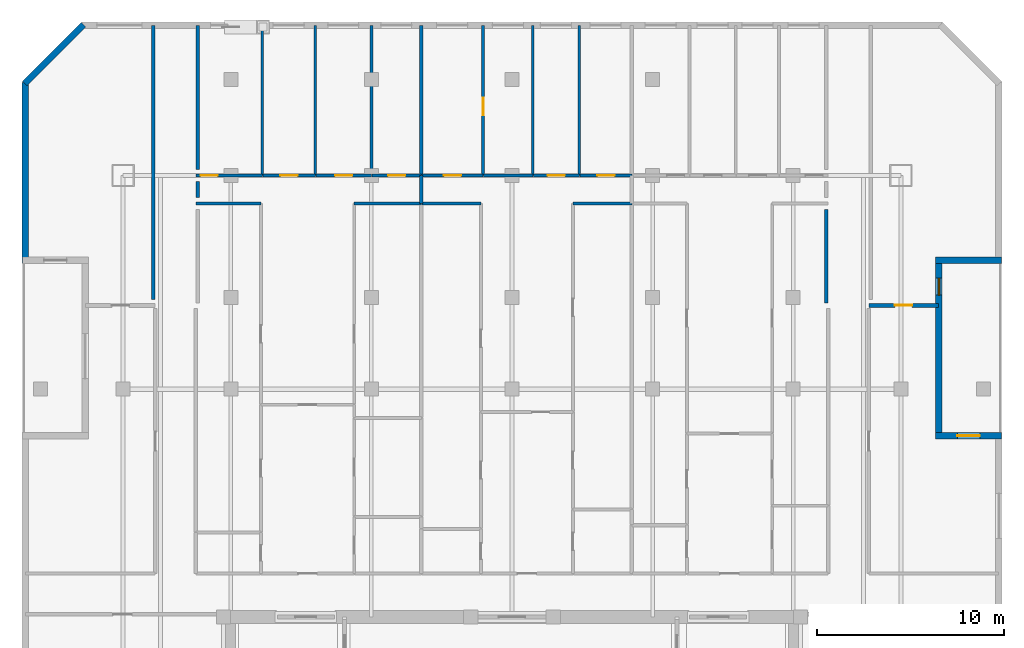
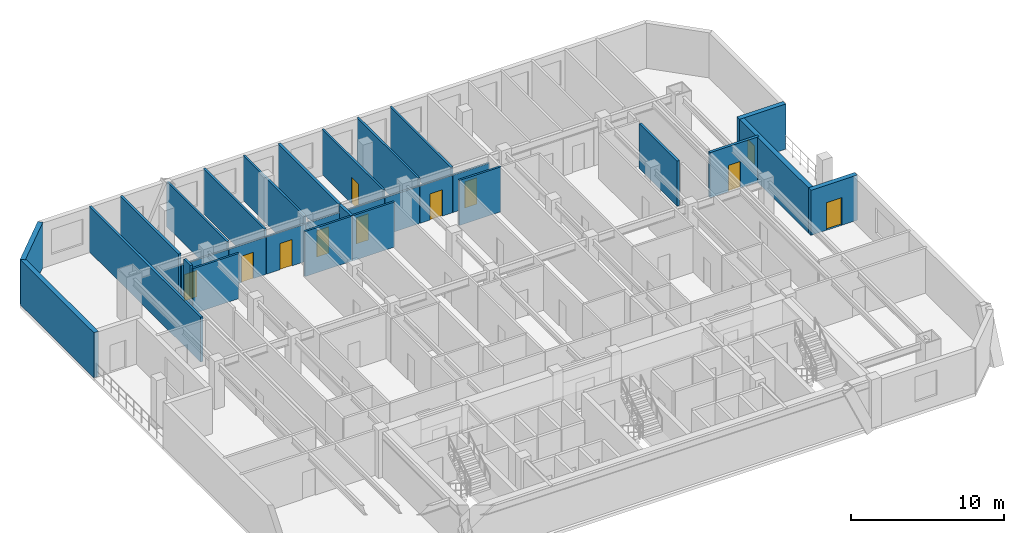
# One storey, part 6 of 10: 30 walls, 10 doors, 1 window, 11 openings.
"""IFC4 building model written with IfcOpenShell, lengths in metres."""

from ifc_helpers import new_model, si_unit, direction, frame, frame_2d, origin, place, context, subcontext, project, spatial, rectangle, extrude, material, layer, layer_set, type_object, element, fill, save


model = new_model("IFC4")

# Units and contexts
model_context = context("Model", 3, precision=1e-05, world=origin(), true_north=direction((0.0, 1.0)))
body_context = subcontext(model_context, "Body", "Model", "MODEL_VIEW")
ifc_project = project(units=[si_unit("LENGTHUNIT", "METRE"), si_unit("AREAUNIT", "SQUARE_METRE"), si_unit("VOLUMEUNIT", "CUBIC_METRE"), si_unit("PLANEANGLEUNIT", "RADIAN"), si_unit("MASSUNIT", "GRAM", prefix="KILO")], contexts=[model_context])

# Site, building, storey
site_placement = place(None, origin())
site = spatial("IfcSite", under=ifc_project, at=site_placement, CompositionType="ELEMENT")
building_placement = place(site_placement, origin())
building = spatial("IfcBuilding", under=site, at=building_placement, Name="Ventersveld Concourse Tower", CompositionType="ELEMENT")
storey_placement = place(building_placement, frame((0.0, 0.0, 123.39990234375)))
storey = spatial("IfcBuildingStorey", under=building, at=storey_placement, Name="L30", CompositionType="ELEMENT", Elevation=123.39990234375)

# Walls
ifc_material_1 = material(Name="Fire-rated autoclaved aerated masonry blockwork", Category="masonry")
ifc_layer_1 = layer(ifc_material_1, 0.179931640625)
ifc_layer_set_1 = layer_set([ifc_layer_1], Name="Fire-rated autoclaved aerated masonry blockwork")
wall_type_1 = type_object("IfcWallType", Name="WL-CORR-180", PredefinedType="PARTITIONING", material=ifc_layer_set_1)
wall_1_placement = place(storey_placement, frame((9.6201171875, 42.989990234375, 0.0), z_axis=(0.0, 0.0, 1.0), x_axis=(0.0, -1.0, 0.0)))
element("IfcWall", 1, at=wall_1_placement, inside=storey, type_object=wall_type_1, Name="L30 Room Enclosure Wall SP-L30-NWLNG2", PredefinedType="PARTITIONING", context=body_context, shape_type="SweptSolid", body=[
    extrude(rectangle(XDim=14.594970703125, YDim=0.179931640625, at=frame_2d((7.29736328125, 0.0))), origin(), (0.0, 0.0, 1.0), 3.60009765625),
])
wall_2_placement = place(storey_placement, frame((11.97998046875, 33.824951171875, 0.0), z_axis=(0.0, 0.0, 1.0), x_axis=(0.0, 1.0, 0.0)))
element("IfcWall", 2, at=wall_2_placement, inside=storey, type_object=wall_type_1, Name="L30 Room Enclosure Wall SP-L30-30N1-LIV", PredefinedType="PARTITIONING", context=body_context, shape_type="SweptSolid", body=[
    extrude(rectangle(XDim=0.85009765625, YDim=0.179931640625, at=frame_2d((0.425048828125, 0.0))), origin(), (0.0, 0.0, 1.0), 3.60009765625),
])
wall_3_placement = place(storey_placement, frame((11.97998046875, 35.324951171875, 0.0), z_axis=(0.0, 0.0, 1.0), x_axis=(0.0, 1.0, 0.0)))
element("IfcWall", 3, at=wall_3_placement, inside=storey, type_object=wall_type_1, Name="L30 Room Enclosure Wall SP-L30-30N1-BR1", PredefinedType="PARTITIONING", context=body_context, shape_type="SweptSolid", body=[
    extrude(rectangle(XDim=7.6650390625, YDim=0.179931640625, at=frame_2d((3.83251953125, 0.0))), origin(), (0.0, 0.0, 1.0), 3.60009765625),
])
wall_4_placement = place(storey_placement, frame((45.52001953125, 33.175048828125, 0.0), z_axis=(0.0, 0.0, 1.0), x_axis=(0.0, -1.0, 0.0)))
element("IfcWall", 4, at=wall_4_placement, inside=storey, type_object=wall_type_1, Name="L30 Room Enclosure Wall SP-L30-30N3-DENR", PredefinedType="PARTITIONING", context=body_context, shape_type="SweptSolid", body=[
    extrude(rectangle(XDim=4.965087890625, YDim=0.179931640625, at=frame_2d((2.482421875, 0.0))), origin(), (0.0, 0.0, 1.0), 3.60009765625),
])

# Wall, opening, door
ifc_layer_2 = layer(ifc_material_1, 0.199951171875)
ifc_layer_set_2 = layer_set([ifc_layer_2], Name="Fire-rated autoclaved aerated masonry blockwork")
wall_type_2 = type_object("IfcWallType", Name="WL-DEMISE-200", PredefinedType="PARTITIONING", material=ifc_layer_set_2)
wall_5_placement = place(storey_placement, frame((47.784912109375, 28.070068359375, 0.0), z_axis=(0.0, 0.0, 1.0), x_axis=(1.0, 0.0, 0.0)))
wall_5 = element("IfcWall", 5, at=wall_5_placement, inside=storey, type_object=wall_type_2, Name="L30 Interior Partition SP-L30-NELNG1-SP-L30-NELNG2", PredefinedType="PARTITIONING", context=body_context, shape_type="SweptSolid", body=[
    extrude(rectangle(XDim=3.705078125, YDim=0.199951171875, at=frame_2d((1.8525390625, 0.0))), origin(), (0.0, 0.0, 1.0), 3.60009765625),
])
opening_1_placement = place(wall_5_placement, frame((1.392578125, 0.0, 0.0)))
opening_1 = element("IfcOpeningElement", 6, at=opening_1_placement, cuts=wall_5, Name="Opening ID1", PredefinedType="OPENING", context=body_context, shape_type="SweptSolid", body=[
    extrude(rectangle(XDim=0.919921875, YDim=2.10009765625, at=frame_2d((0.4599609375, 1.050048828125))), frame((0.0, 0.10986328125, 0.0), z_axis=(0.0, -1.0, 0.0), x_axis=(1.0, 0.0, 0.0)), (0.0, 0.0, 1.0), 0.219970703125),
])
ifc_material_2 = material(Name="Solid-core hardwood veneer timber", Category="wood")
door_type_1 = type_object("IfcDoorType", Name="DR-ROOM-092", OperationType="NOTDEFINED", PredefinedType="DOOR", material=ifc_material_2)
door_1_placement = place(opening_1_placement, origin())
door_1 = element("IfcDoor", 7, at=door_1_placement, inside=storey, type_object=door_type_1, Name="L30 Interior Door SP-L30-NELNG1 to SP-L30-NELNG2 (D-L30-1499)", OperationType="SINGLE_SWING_LEFT", OverallHeight=2.10009765625, OverallWidth=0.919921875, PredefinedType="DOOR", context=body_context, shape_type="SweptSolid", body=[
    extrude(rectangle(XDim=0.919921875, YDim=2.10009765625, at=frame_2d((0.4599609375, 1.050048828125))), frame((0.0, 0.02490234375, 0.0), z_axis=(0.0, -1.0, 0.0), x_axis=(1.0, 0.0, 0.0)), (0.0, 0.0, 1.0), 0.050048828125),
])
fill(opening_1, door_1)

# Walls
wall_6_placement = place(storey_placement, frame((23.904296875, 33.4951171875, 0.0), z_axis=(0.0, 0.0, 1.0), x_axis=(0.0, 1.0, 0.0)))
element("IfcWall", 8, at=wall_6_placement, inside=storey, type_object=wall_type_2, Name="L30 Interior Partition SP-L30-30N1-LIV-SP-L30-30N2-LIV", PredefinedType="PARTITIONING", context=body_context, shape_type="SweptSolid", body=[
    extrude(rectangle(XDim=1.509765625, YDim=0.199951171875, at=frame_2d((0.7548828125, 0.0))), origin(), (0.0, 0.0, 1.0), 3.60009765625),
])
wall_7_placement = place(storey_placement, frame((23.904296875, 35.034912109375, 0.0), z_axis=(0.0, 0.0, 1.0), x_axis=(0.0, 1.0, 0.0)))
element("IfcWall", 9, at=wall_7_placement, inside=storey, type_object=wall_type_2, Name="L30 Interior Partition SP-L30-30N1-BR4-SP-L30-30N2-BR1", PredefinedType="PARTITIONING", context=body_context, shape_type="SweptSolid", body=[
    extrude(rectangle(XDim=7.955078125, YDim=0.199951171875, at=frame_2d((3.9775390625, 0.0))), origin(), (0.0, 0.0, 1.0), 3.60009765625),
])
ifc_material_3 = material(Name="Autoclaved aerated masonry blockwork", Category="masonry")
ifc_layer_3 = layer(ifc_material_3, 0.14990234375)
ifc_layer_set_3 = layer_set([ifc_layer_3], Name="Autoclaved aerated masonry blockwork")
wall_type_3 = type_object("IfcWallType", Name="WL-INT-150", PredefinedType="PARTITIONING", material=ifc_layer_set_3)
wall_8_placement = place(storey_placement, frame((11.885009765625, 33.5, 0.0), z_axis=(0.0, 0.0, 1.0), x_axis=(1.0, 0.0, 0.0)))
element("IfcWall", 10, at=wall_8_placement, inside=storey, type_object=wall_type_3, Name="L30 Interior Partition SP-L30-30N1-LIV-SP-L30-30N1-OFFL0", PredefinedType="PARTITIONING", context=body_context, shape_type="SweptSolid", body=[
    extrude(rectangle(XDim=3.477783203125, YDim=0.14990234375, at=frame_2d((1.73876953125, 0.0))), origin(), (0.0, 0.0, 1.0), 3.60009765625),
])
wall_9_placement = place(storey_placement, frame((20.3330078125, 33.5, 0.0), z_axis=(0.0, 0.0, 1.0), x_axis=(1.0, 0.0, 0.0)))
element("IfcWall", 11, at=wall_9_placement, inside=storey, type_object=wall_type_3, Name="L30 Interior Partition SP-L30-30N1-LIV-SP-L30-30N1-DENS", PredefinedType="PARTITIONING", context=body_context, shape_type="SweptSolid", body=[
    extrude(rectangle(XDim=3.576171875, YDim=0.14990234375, at=frame_2d((1.7880859375, 0.0))), origin(), (0.0, 0.0, 1.0), 3.60009765625),
])

# Wall, opening, door
wall_10_placement = place(storey_placement, frame((11.885009765625, 35.0, 0.0), z_axis=(0.0, 0.0, 1.0), x_axis=(1.0, 0.0, 0.0)))
wall_10 = element("IfcWall", 12, at=wall_10_placement, inside=storey, type_object=wall_type_3, Name="L30 Interior Partition SP-L30-30N1-LIV-SP-L30-30N1-BR1", PredefinedType="PARTITIONING", context=body_context, shape_type="SweptSolid", body=[
    extrude(rectangle(XDim=3.54296875, YDim=0.14990234375, at=frame_2d((1.771484375, 0.0))), origin(), (0.0, 0.0, 1.0), 2.98291015625),
])
opening_2_placement = place(wall_10_placement, frame((0.24853515625, 0.0, 0.0)))
opening_2 = element("IfcOpeningElement", 13, at=opening_2_placement, cuts=wall_10, Name="Opening ID1", PredefinedType="OPENING", context=body_context, shape_type="SweptSolid", body=[
    extrude(rectangle(XDim=0.919921875, YDim=2.10009765625, at=frame_2d((0.4599609375, 1.050048828125))), frame((0.0, 0.0849609375, 0.0), z_axis=(0.0, -1.0, 0.0), x_axis=(1.0, 0.0, 0.0)), (0.0, 0.0, 1.0), 0.169921875),
])
door_2_placement = place(opening_2_placement, origin())
door_2 = element("IfcDoor", 14, at=door_2_placement, inside=storey, type_object=door_type_1, Name="L30 Interior Door SP-L30-30N1-LIV to SP-L30-30N1-BR1 (D-L30-1507)", OperationType="SINGLE_SWING_LEFT", OverallHeight=2.10009765625, OverallWidth=0.919921875, PredefinedType="DOOR", context=body_context, shape_type="SweptSolid", body=[
    extrude(rectangle(XDim=0.919921875, YDim=2.10009765625, at=frame_2d((0.4599609375, 1.050048828125))), frame((0.0, 0.02490234375, 0.0), z_axis=(0.0, -1.0, 0.0), x_axis=(1.0, 0.0, 0.0)), (0.0, 0.0, 1.0), 0.050048828125),
])
fill(opening_2, door_2)

wall_11_placement = place(storey_placement, frame((15.4580078125, 35.0, 0.0), z_axis=(0.0, 0.0, 1.0), x_axis=(1.0, 0.0, 0.0)))
wall_11 = element("IfcWall", 15, at=wall_11_placement, inside=storey, type_object=wall_type_3, Name="L30 Interior Partition SP-L30-30N1-LIV-SP-L30-30N1-BR2", PredefinedType="PARTITIONING", context=body_context, shape_type="SweptSolid", body=[
    extrude(rectangle(XDim=2.797119140625, YDim=0.14990234375, at=frame_2d((1.3984375, 0.0))), origin(), (0.0, 0.0, 1.0), 2.98291015625),
])
opening_3_placement = place(wall_11_placement, frame((0.9384765625, 0.0, 0.0)))
opening_3 = element("IfcOpeningElement", 16, at=opening_3_placement, cuts=wall_11, Name="Opening ID1", PredefinedType="OPENING", context=body_context, shape_type="SweptSolid", body=[
    extrude(rectangle(XDim=0.919921875, YDim=2.10009765625, at=frame_2d((0.4599609375, 1.050048828125))), frame((0.0, 0.0849609375, 0.0), z_axis=(0.0, -1.0, 0.0), x_axis=(1.0, 0.0, 0.0)), (0.0, 0.0, 1.0), 0.169921875),
])
door_3_placement = place(opening_3_placement, origin())
door_3 = element("IfcDoor", 17, at=door_3_placement, inside=storey, type_object=door_type_1, Name="L30 Interior Door SP-L30-30N1-LIV to SP-L30-30N1-BR2 (D-L30-1508)", OperationType="SINGLE_SWING_RIGHT", OverallHeight=2.10009765625, OverallWidth=0.919921875, PredefinedType="DOOR", context=body_context, shape_type="SweptSolid", body=[
    extrude(rectangle(XDim=0.919921875, YDim=2.10009765625, at=frame_2d((0.4599609375, 1.050048828125))), frame((0.0, 0.02490234375, 0.0), z_axis=(0.0, -1.0, 0.0), x_axis=(1.0, 0.0, 0.0)), (0.0, 0.0, 1.0), 0.050048828125),
])
fill(opening_3, door_3)

wall_12_placement = place(storey_placement, frame((18.28515625, 35.0, 0.0), z_axis=(0.0, 0.0, 1.0), x_axis=(1.0, 0.0, 0.0)))
wall_12 = element("IfcWall", 18, at=wall_12_placement, inside=storey, type_object=wall_type_3, Name="L30 Interior Partition SP-L30-30N1-LIV-SP-L30-30N1-BR3", PredefinedType="PARTITIONING", context=body_context, shape_type="SweptSolid", body=[
    extrude(rectangle(XDim=2.9697265625, YDim=0.14990234375, at=frame_2d((1.48486328125, 0.0))), origin(), (0.0, 0.0, 1.0), 2.98291015625),
])
opening_4_placement = place(wall_12_placement, frame((1.02490234375, 0.0, 0.0)))
opening_4 = element("IfcOpeningElement", 19, at=opening_4_placement, cuts=wall_12, Name="Opening ID1", PredefinedType="OPENING", context=body_context, shape_type="SweptSolid", body=[
    extrude(rectangle(XDim=0.919921875, YDim=2.10009765625, at=frame_2d((0.4599609375, 1.050048828125))), frame((0.0, 0.0849609375, 0.0), z_axis=(0.0, -1.0, 0.0), x_axis=(1.0, 0.0, 0.0)), (0.0, 0.0, 1.0), 0.169921875),
])
door_4_placement = place(opening_4_placement, origin())
door_4 = element("IfcDoor", 20, at=door_4_placement, inside=storey, type_object=door_type_1, Name="L30 Interior Door SP-L30-30N1-LIV to SP-L30-30N1-BR3 (D-L30-1509)", OperationType="SINGLE_SWING_LEFT", OverallHeight=2.10009765625, OverallWidth=0.919921875, PredefinedType="DOOR", context=body_context, shape_type="SweptSolid", body=[
    extrude(rectangle(XDim=0.919921875, YDim=2.10009765625, at=frame_2d((0.4599609375, 1.050048828125))), frame((0.0, 0.02490234375, 0.0), z_axis=(0.0, -1.0, 0.0), x_axis=(1.0, 0.0, 0.0)), (0.0, 0.0, 1.0), 0.050048828125),
])
fill(opening_4, door_4)

wall_13_placement = place(storey_placement, frame((21.284912109375, 35.0, 0.0), z_axis=(0.0, 0.0, 1.0), x_axis=(1.0, 0.0, 0.0)))
wall_13 = element("IfcWall", 21, at=wall_13_placement, inside=storey, type_object=wall_type_3, Name="L30 Interior Partition SP-L30-30N1-LIV-SP-L30-30N1-BR4", PredefinedType="PARTITIONING", context=body_context, shape_type="SweptSolid", body=[
    extrude(rectangle(XDim=2.624267578125, YDim=0.14990234375, at=frame_2d((1.31201171875, 0.0))), origin(), (0.0, 0.0, 1.0), 2.98291015625),
])
opening_5_placement = place(wall_13_placement, frame((0.85205078125, 0.0, 0.0)))
opening_5 = element("IfcOpeningElement", 22, at=opening_5_placement, cuts=wall_13, Name="Opening ID1", PredefinedType="OPENING", context=body_context, shape_type="SweptSolid", body=[
    extrude(rectangle(XDim=0.919921875, YDim=2.10009765625, at=frame_2d((0.4599609375, 1.050048828125))), frame((0.0, 0.0849609375, 0.0), z_axis=(0.0, -1.0, 0.0), x_axis=(1.0, 0.0, 0.0)), (0.0, 0.0, 1.0), 0.169921875),
])
door_5_placement = place(opening_5_placement, origin())
door_5 = element("IfcDoor", 23, at=door_5_placement, inside=storey, type_object=door_type_1, Name="L30 Interior Door SP-L30-30N1-LIV to SP-L30-30N1-BR4 (D-L30-1510)", OperationType="SINGLE_SWING_RIGHT", OverallHeight=2.10009765625, OverallWidth=0.919921875, PredefinedType="DOOR", context=body_context, shape_type="SweptSolid", body=[
    extrude(rectangle(XDim=0.919921875, YDim=2.10009765625, at=frame_2d((0.4599609375, 1.050048828125))), frame((0.0, 0.02490234375, 0.0), z_axis=(0.0, -1.0, 0.0), x_axis=(1.0, 0.0, 0.0)), (0.0, 0.0, 1.0), 0.050048828125),
])
fill(opening_5, door_5)

# Walls
wall_14_placement = place(storey_placement, frame((15.423095703125, 34.9951171875, 0.0), z_axis=(0.0, 0.0, 1.0), x_axis=(0.0, 1.0, 0.0)))
element("IfcWall", 24, at=wall_14_placement, inside=storey, type_object=wall_type_3, Name="L30 Interior Partition SP-L30-30N1-BR1-SP-L30-30N1-BR2", PredefinedType="PARTITIONING", context=body_context, shape_type="SweptSolid", body=[
    extrude(rectangle(XDim=7.906982421875, YDim=0.14990234375, at=frame_2d((3.95361328125, 0.0))), origin(), (0.0, 0.0, 1.0), 3.60009765625),
])
for number, where, z_axis, x_axis, name in (
    (25, (18.25, 34.9951171875, 0.0), (0.0, 0.0, 1.0), (0.0, 1.0, 0.0), "L30 Interior Partition SP-L30-30N1-BR2-SP-L30-30N1-BR3"),
    (26, (21.25, 34.9951171875, 0.0), (0.0, 0.0, 1.0), (0.0, 1.0, 0.0), "L30 Interior Partition SP-L30-30N1-BR3-SP-L30-30N1-BR4"),
):
    element("IfcWall", number, at=place(storey_placement, frame(where, z_axis=z_axis, x_axis=x_axis)), inside=storey, type_object=wall_type_3, Name=name, PredefinedType="PARTITIONING", context=body_context, shape_type="SweptSolid", body=[
        extrude(rectangle(XDim=7.994873046875, YDim=0.14990234375, at=frame_2d((3.99755859375, 0.0))), origin(), (0.0, 0.0, 1.0), 3.60009765625),
    ])
wall_15_placement = place(storey_placement, frame((23.939208984375, 33.5, 0.0), z_axis=(0.0, 0.0, 1.0), x_axis=(1.0, 0.0, 0.0)))
element("IfcWall", 27, at=wall_15_placement, inside=storey, type_object=wall_type_3, Name="L30 Interior Partition SP-L30-30N2-LIV-SP-L30-30N2-OFFL0", PredefinedType="PARTITIONING", context=body_context, shape_type="SweptSolid", body=[
    extrude(rectangle(XDim=3.1591796875, YDim=0.14990234375, at=frame_2d((1.57958984375, 0.0))), origin(), (0.0, 0.0, 1.0), 3.60009765625),
])
wall_16_placement = place(storey_placement, frame((31.99609375, 33.5, 0.0), z_axis=(0.0, 0.0, 1.0), x_axis=(1.0, 0.0, 0.0)))
element("IfcWall", 28, at=wall_16_placement, inside=storey, type_object=wall_type_3, Name="L30 Interior Partition SP-L30-30N2-LIV-SP-L30-30N2-SEMR1", PredefinedType="PARTITIONING", context=body_context, shape_type="SweptSolid", body=[
    extrude(rectangle(XDim=3.153076171875, YDim=0.14990234375, at=frame_2d((1.57666015625, 0.0))), origin(), (0.0, 0.0, 1.0), 3.60009765625),
])

# Wall, opening, door
wall_17_placement = place(storey_placement, frame((23.939208984375, 35.0, 0.0), z_axis=(0.0, 0.0, 1.0), x_axis=(1.0, 0.0, 0.0)))
wall_17 = element("IfcWall", 29, at=wall_17_placement, inside=storey, type_object=wall_type_3, Name="L30 Interior Partition SP-L30-30N2-LIV-SP-L30-30N2-BR1", PredefinedType="PARTITIONING", context=body_context, shape_type="SweptSolid", body=[
    extrude(rectangle(XDim=3.273193359375, YDim=0.14990234375, at=frame_2d((1.63671875, 0.0))), origin(), (0.0, 0.0, 1.0), 2.98291015625),
])
opening_6_placement = place(wall_17_placement, frame((1.176513671875, 0.0, 0.0)))
opening_6 = element("IfcOpeningElement", 30, at=opening_6_placement, cuts=wall_17, Name="Opening ID1", PredefinedType="OPENING", context=body_context, shape_type="SweptSolid", body=[
    extrude(rectangle(XDim=0.919921875, YDim=2.10009765625, at=frame_2d((0.4599609375, 1.050048828125))), frame((0.0, 0.0849609375, 0.0), z_axis=(0.0, -1.0, 0.0), x_axis=(1.0, 0.0, 0.0)), (0.0, 0.0, 1.0), 0.169921875),
])
door_6_placement = place(opening_6_placement, origin())
door_6 = element("IfcDoor", 31, at=door_6_placement, inside=storey, type_object=door_type_1, Name="L30 Interior Door SP-L30-30N2-LIV to SP-L30-30N2-BR1 (D-L30-1518)", OperationType="SINGLE_SWING_RIGHT", OverallHeight=2.10009765625, OverallWidth=0.919921875, PredefinedType="DOOR", context=body_context, shape_type="SweptSolid", body=[
    extrude(rectangle(XDim=0.919921875, YDim=2.10009765625, at=frame_2d((0.4599609375, 1.050048828125))), frame((0.0, 0.02490234375, 0.0), z_axis=(0.0, -1.0, 0.0), x_axis=(1.0, 0.0, 0.0)), (0.0, 0.0, 1.0), 0.050048828125),
])
fill(opening_6, door_6)

# Wall
wall_18_placement = place(storey_placement, frame((27.2421875, 35.0, 0.0), z_axis=(0.0, 0.0, 1.0), x_axis=(1.0, 0.0, 0.0)))
element("IfcWall", 32, at=wall_18_placement, inside=storey, type_object=wall_type_3, Name="L30 Interior Partition SP-L30-30N2-LIV-SP-L30-30N2-BR2", PredefinedType="PARTITIONING", context=body_context, shape_type="SweptSolid", body=[
    extrude(rectangle(XDim=2.61572265625, YDim=0.14990234375, at=frame_2d((1.307861328125, 0.0))), origin(), (0.0, 0.0, 1.0), 2.98291015625),
])

# Wall, opening, door
wall_19_placement = place(storey_placement, frame((29.887939453125, 35.0, 0.0), z_axis=(0.0, 0.0, 1.0), x_axis=(1.0, 0.0, 0.0)))
wall_19 = element("IfcWall", 33, at=wall_19_placement, inside=storey, type_object=wall_type_3, Name="L30 Interior Partition SP-L30-30N2-LIV-SP-L30-30N2-BR3", PredefinedType="PARTITIONING", context=body_context, shape_type="SweptSolid", body=[
    extrude(rectangle(XDim=2.451171875, YDim=0.14990234375, at=frame_2d((1.2255859375, 0.0))), origin(), (0.0, 0.0, 1.0), 2.98291015625),
])
opening_7_placement = place(wall_19_placement, frame((0.765625, 0.0, 0.0)))
opening_7 = element("IfcOpeningElement", 34, at=opening_7_placement, cuts=wall_19, Name="Opening ID1", PredefinedType="OPENING", context=body_context, shape_type="SweptSolid", body=[
    extrude(rectangle(XDim=0.919921875, YDim=2.10009765625, at=frame_2d((0.4599609375, 1.050048828125))), frame((0.0, 0.0849609375, 0.0), z_axis=(0.0, -1.0, 0.0), x_axis=(1.0, 0.0, 0.0)), (0.0, 0.0, 1.0), 0.169921875),
])
door_7_placement = place(opening_7_placement, origin())
door_7 = element("IfcDoor", 35, at=door_7_placement, inside=storey, type_object=door_type_1, Name="L30 Interior Door SP-L30-30N2-LIV to SP-L30-30N2-BR3 (D-L30-1520)", OperationType="SINGLE_SWING_RIGHT", OverallHeight=2.10009765625, OverallWidth=0.919921875, PredefinedType="DOOR", context=body_context, shape_type="SweptSolid", body=[
    extrude(rectangle(XDim=0.919921875, YDim=2.10009765625, at=frame_2d((0.4599609375, 1.050048828125))), frame((0.0, 0.02490234375, 0.0), z_axis=(0.0, -1.0, 0.0), x_axis=(1.0, 0.0, 0.0)), (0.0, 0.0, 1.0), 0.050048828125),
])
fill(opening_7, door_7)

wall_20_placement = place(storey_placement, frame((32.369140625, 35.0, 0.0), z_axis=(0.0, 0.0, 1.0), x_axis=(1.0, 0.0, 0.0)))
wall_20 = element("IfcWall", 36, at=wall_20_placement, inside=storey, type_object=wall_type_3, Name="L30 Interior Partition SP-L30-30N2-LIV-SP-L30-30N2-BR4", PredefinedType="PARTITIONING", context=body_context, shape_type="SweptSolid", body=[
    extrude(rectangle(XDim=2.780029296875, YDim=0.14990234375, at=frame_2d((1.39013671875, 0.0))), origin(), (0.0, 0.0, 1.0), 2.98291015625),
])
opening_8_placement = place(wall_20_placement, frame((0.929931640625, 0.0, 0.0)))
opening_8 = element("IfcOpeningElement", 37, at=opening_8_placement, cuts=wall_20, Name="Opening ID1", PredefinedType="OPENING", context=body_context, shape_type="SweptSolid", body=[
    extrude(rectangle(XDim=0.919921875, YDim=2.10009765625, at=frame_2d((0.4599609375, 1.050048828125))), frame((0.0, 0.0849609375, 0.0), z_axis=(0.0, -1.0, 0.0), x_axis=(1.0, 0.0, 0.0)), (0.0, 0.0, 1.0), 0.169921875),
])
door_8_placement = place(opening_8_placement, origin())
door_8 = element("IfcDoor", 38, at=door_8_placement, inside=storey, type_object=door_type_1, Name="L30 Interior Door SP-L30-30N2-LIV to SP-L30-30N2-BR4 (D-L30-1521)", OperationType="SINGLE_SWING_LEFT", OverallHeight=2.10009765625, OverallWidth=0.919921875, PredefinedType="DOOR", context=body_context, shape_type="SweptSolid", body=[
    extrude(rectangle(XDim=0.919921875, YDim=2.10009765625, at=frame_2d((0.4599609375, 1.050048828125))), frame((0.0, 0.02490234375, 0.0), z_axis=(0.0, -1.0, 0.0), x_axis=(1.0, 0.0, 0.0)), (0.0, 0.0, 1.0), 0.050048828125),
])
fill(opening_8, door_8)

wall_21_placement = place(storey_placement, frame((27.207275390625, 34.9951171875, 0.0), z_axis=(0.0, 0.0, 1.0), x_axis=(0.0, 1.0, 0.0)))
wall_21 = element("IfcWall", 39, at=wall_21_placement, inside=storey, type_object=wall_type_3, Name="L30 Interior Partition SP-L30-30N2-BR1-SP-L30-30N2-BR2", PredefinedType="PARTITIONING", context=body_context, shape_type="SweptSolid", body=[
    extrude(rectangle(XDim=7.994873046875, YDim=0.14990234375, at=frame_2d((3.99755859375, 0.0))), origin(), (0.0, 0.0, 1.0), 3.60009765625),
])
opening_9_placement = place(wall_21_placement, frame((3.22998046875, 0.0, 0.0)))
opening_9 = element("IfcOpeningElement", 40, at=opening_9_placement, cuts=wall_21, Name="Opening ID1", PredefinedType="OPENING", context=body_context, shape_type="SweptSolid", body=[
    extrude(rectangle(XDim=0.919921875, YDim=2.10009765625, at=frame_2d((0.4599609375, 1.050048828125))), frame((0.0, 0.0849609375, 0.0), z_axis=(0.0, -1.0, 0.0), x_axis=(1.0, 0.0, 0.0)), (0.0, 0.0, 1.0), 0.169921875),
])
door_9_placement = place(opening_9_placement, origin())
door_9 = element("IfcDoor", 41, at=door_9_placement, inside=storey, type_object=door_type_1, Name="L30 Interior Door Flat 30N2 Bedroom 2 (D-L30-1533)", OperationType="SINGLE_SWING_RIGHT", OverallHeight=2.10009765625, OverallWidth=0.919921875, PredefinedType="DOOR", context=body_context, shape_type="SweptSolid", body=[
    extrude(rectangle(XDim=0.919921875, YDim=2.10009765625, at=frame_2d((0.4599609375, 1.050048828125))), frame((0.0, 0.02490234375, 0.0), z_axis=(0.0, -1.0, 0.0), x_axis=(1.0, 0.0, 0.0)), (0.0, 0.0, 1.0), 0.050048828125),
])
fill(opening_9, door_9)

# Walls
for number, where, z_axis, x_axis, name in (
    (42, (29.852783203125, 34.9951171875, 0.0), (0.0, 0.0, 1.0), (0.0, 1.0, 0.0), "L30 Interior Partition SP-L30-30N2-BR2-SP-L30-30N2-BR3"),
    (43, (32.334228515625, 34.9951171875, 0.0), (0.0, 0.0, 1.0), (0.0, 1.0, 0.0), "L30 Interior Partition SP-L30-30N2-BR3-SP-L30-30N2-BR4"),
):
    element("IfcWall", number, at=place(storey_placement, frame(where, z_axis=z_axis, x_axis=x_axis)), inside=storey, type_object=wall_type_3, Name=name, PredefinedType="PARTITIONING", context=body_context, shape_type="SweptSolid", body=[
        extrude(rectangle(XDim=7.994873046875, YDim=0.14990234375, at=frame_2d((3.99755859375, 0.0))), origin(), (0.0, 0.0, 1.0), 3.60009765625),
    ])

# Wall, opening, door
ifc_material_4 = material(Name="Precast concrete C45/55", Category="concrete")
ifc_layer_4 = layer(ifc_material_4, 0.35009765625)
ifc_layer_set_4 = layer_set([ifc_layer_4], Name="Precast concrete C45/55")
wall_type_4 = type_object("IfcWallType", Name="WL-PREC-350", PredefinedType="SOLIDWALL", material=ifc_layer_set_4)
wall_22_placement = place(storey_placement, frame((54.860107421875, 21.125, 0.0), z_axis=(0.0, 0.0, 1.0), x_axis=(-1.0, 0.0, 0.0)))
wall_22 = element("IfcWall", 44, at=wall_22_placement, inside=storey, type_object=wall_type_4, Name="L30 Highveld Precast Facade Wall E04", PredefinedType="SOLIDWALL", context=body_context, shape_type="SweptSolid", body=[
    extrude(rectangle(XDim=3.510009765625, YDim=0.35009765625, at=frame_2d((1.7548828125, 0.0))), origin(), (0.0, 0.0, 1.0), 3.60009765625),
])
opening_10_placement = place(wall_22_placement, frame((1.155029296875, 0.0, 0.0)))
opening_10 = element("IfcOpeningElement", 45, at=opening_10_placement, cuts=wall_22, Name="Opening TD1", PredefinedType="OPENING", context=body_context, shape_type="SweptSolid", body=[
    extrude(rectangle(XDim=1.199951171875, YDim=2.199951171875, at=frame_2d((0.60009765625, 1.10009765625))), frame((0.0, 0.18505859375, 0.0), z_axis=(0.0, -1.0, 0.0), x_axis=(1.0, 0.0, 0.0)), (0.0, 0.0, 1.0), 0.3701171875),
])
ifc_material_5 = material(Name="Anodised aluminium EN AW-6063-T6", Category="aluminium")
door_type_2 = type_object("IfcDoorType", Name="DR-TERR-120", OperationType="NOTDEFINED", PredefinedType="DOOR", material=ifc_material_5)
door_10_placement = place(opening_10_placement, frame((1.199951171875, 0.0, 0.0), z_axis=(0.0, 0.0, 1.0), x_axis=(-1.0, 0.0, 0.0)))
door_10 = element("IfcDoor", 46, at=door_10_placement, inside=storey, type_object=door_type_2, Name="L30 Stepped Valley Terrace Door TD-L30-02", OperationType="SINGLE_SWING_RIGHT", OverallHeight=2.199951171875, OverallWidth=1.199951171875, PredefinedType="DOOR", context=body_context, shape_type="SweptSolid", body=[
    extrude(rectangle(XDim=1.199951171875, YDim=2.199951171875, at=frame_2d((0.60009765625, 1.10009765625))), frame((0.0, 0.02490234375, 0.0), z_axis=(0.0, -1.0, 0.0), x_axis=(1.0, 0.0, 0.0)), (0.0, 0.0, 1.0), 0.050048828125),
])
fill(opening_10, door_10)

# Wall, opening, window
wall_23_placement = place(storey_placement, frame((51.52490234375, 21.300048828125, 0.0), z_axis=(0.0, 0.0, 1.0), x_axis=(0.0, 1.0, 0.0)))
wall_23 = element("IfcWall", 47, at=wall_23_placement, inside=storey, type_object=wall_type_4, Name="L30 Highveld Precast Facade Wall E05", PredefinedType="SOLIDWALL", context=body_context, shape_type="SweptSolid", body=[
    extrude(rectangle(XDim=9.0, YDim=0.35009765625, at=frame_2d((4.5, 0.0))), origin(), (0.0, 0.0, 1.0), 3.60009765625),
])
opening_11_placement = place(wall_23_placement, frame((7.320068359375, 0.0, 0.949951171875)))
opening_11 = element("IfcOpeningElement", 48, at=opening_11_placement, cuts=wall_23, Name="Opening W4", PredefinedType="OPENING", context=body_context, shape_type="SweptSolid", body=[
    extrude(rectangle(XDim=0.89990234375, YDim=1.5, at=frame_2d((0.449951171875, 0.75))), frame((0.0, 0.18505859375, 0.0), z_axis=(0.0, -1.0, 0.0), x_axis=(1.0, 0.0, 0.0)), (0.0, 0.0, 1.0), 0.3701171875),
])
ifc_material_6 = material(Name="Tempered acoustic Low-E IGU", Category="glass")
window_type = type_object("IfcWindowType", Name="WIN-090x150", PartitioningType="SINGLE_PANEL", PredefinedType="WINDOW", material=ifc_material_6)
window_placement = place(opening_11_placement, origin())
window = element("IfcWindow", 49, at=window_placement, inside=storey, type_object=window_type, Name="L30 Punched Low-E Window W-0382", OverallHeight=1.5, OverallWidth=0.89990234375, PartitioningType="SINGLE_PANEL", PredefinedType="WINDOW", context=body_context, shape_type="SweptSolid", body=[
    extrude(rectangle(XDim=0.89990234375, YDim=1.5, at=frame_2d((0.449951171875, 0.75))), frame((0.0, 0.030029296875, 0.0), z_axis=(0.0, -1.0, 0.0), x_axis=(1.0, 0.0, 0.0)), (0.0, 0.0, 1.0), 0.06005859375),
])
fill(opening_11, window)

# Walls
wall_24_placement = place(storey_placement, frame((51.35009765625, 30.47509765625, 0.0), z_axis=(0.0, 0.0, 1.0), x_axis=(1.0, 0.0, 0.0)))
element("IfcWall", 50, at=wall_24_placement, inside=storey, type_object=wall_type_4, Name="L30 Highveld Precast Facade Wall E06", PredefinedType="SOLIDWALL", context=body_context, shape_type="SweptSolid", body=[
    extrude(rectangle(XDim=3.510009765625, YDim=0.35009765625, at=frame_2d((1.7548828125, 0.0))), origin(), (0.0, 0.0, 1.0), 3.60009765625),
])
wall_25_placement = place(storey_placement, frame((5.8955078125, 43.048095703125, 0.0), z_axis=(0.0, 0.0, 1.0), x_axis=(-0.707106781187, -0.707106781187, 0.0)))
element("IfcWall", 51, at=wall_25_placement, inside=storey, type_object=wall_type_4, Name="L30 Highveld Precast Facade Wall E10", PredefinedType="SOLIDWALL", context=body_context, shape_type="SweptSolid", body=[
    extrude(rectangle(XDim=4.445556640625, YDim=0.35009765625, at=frame_2d((2.22265625, 0.0))), origin(), (0.0, 0.0, 1.0), 3.60009765625),
])
wall_26_placement = place(storey_placement, frame((2.77490234375, 39.9599609375, 0.0), z_axis=(0.0, 0.0, 1.0), x_axis=(0.0, -1.0, 0.0)))
element("IfcWall", 52, at=wall_26_placement, inside=storey, type_object=wall_type_4, Name="L30 Highveld Precast Facade Wall E11", PredefinedType="SOLIDWALL", context=body_context, shape_type="SweptSolid", body=[
    extrude(rectangle(XDim=9.619873046875, YDim=0.35009765625, at=frame_2d((4.81005859375, 0.0))), origin(), (0.0, 0.0, 1.0), 3.60009765625),
])

save(model, "model.ifc")
